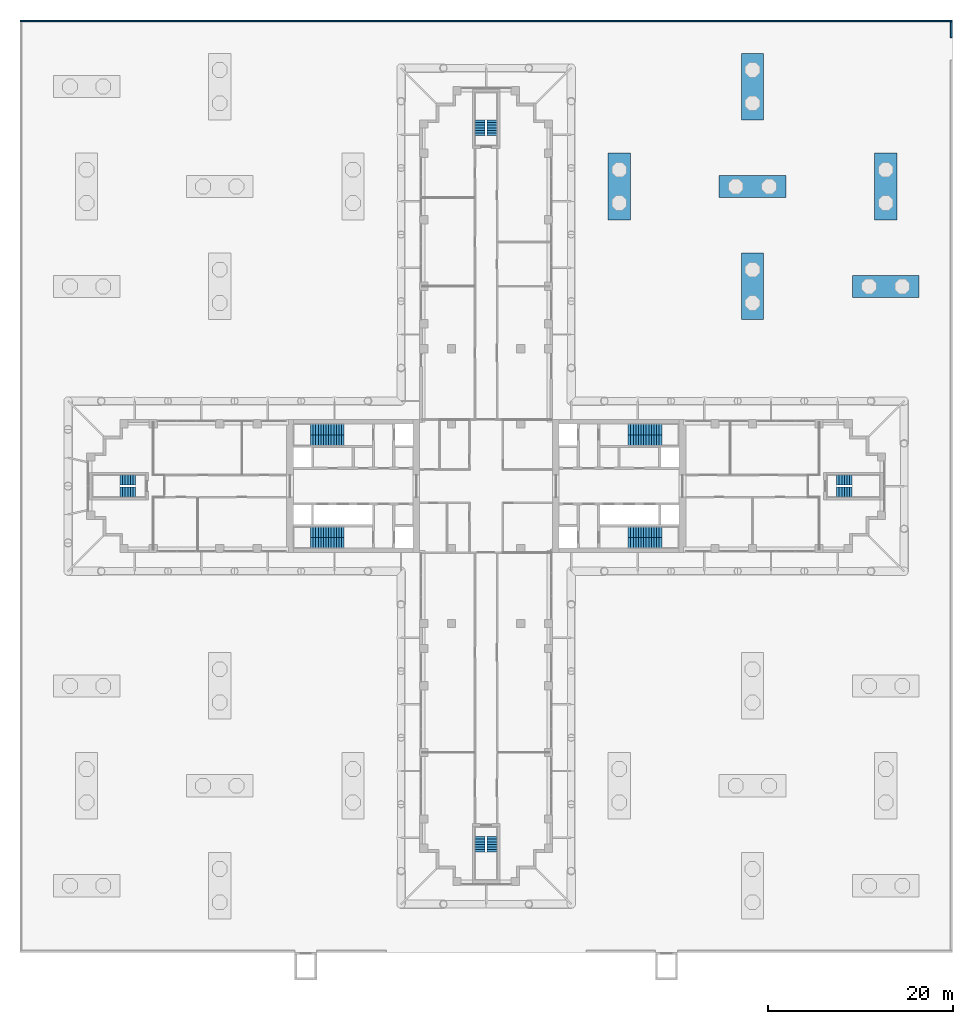
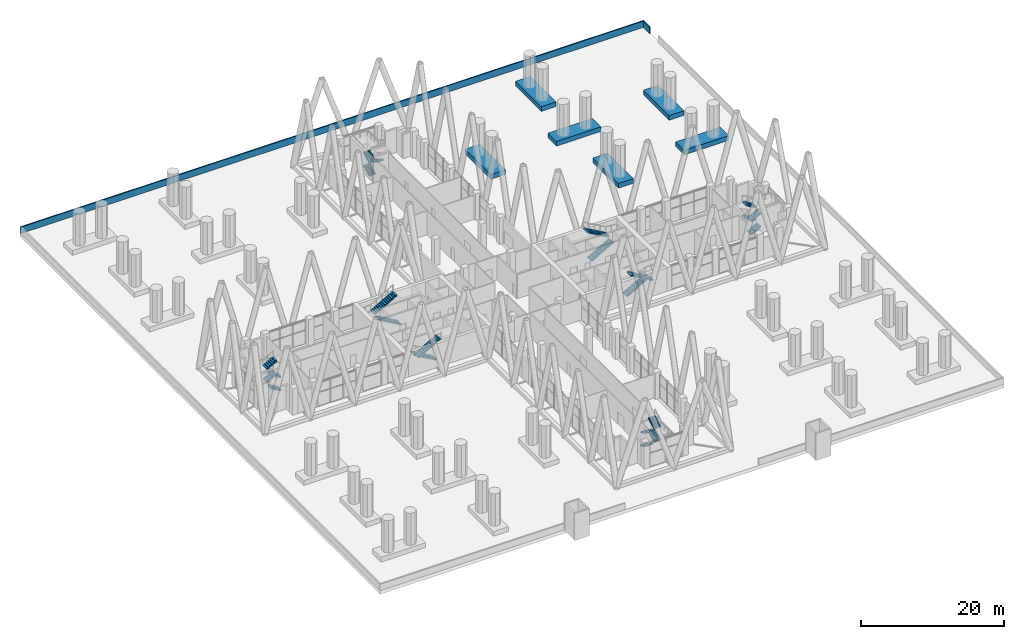
# One storey, part 26 of 31: 23 stair flights, 8 walls, 8 elements without a shape of their own.
"""IFC4 building model written with IfcOpenShell, lengths in metres."""

from ifc_helpers import new_model, si_unit, direction, frame, frame_2d, origin, place, context, subcontext, project, spatial, polyline, rectangle, outline, extrude, material, layer, layer_set, type_object, element, aggregate, save


model = new_model("IFC4")

# Units and contexts
model_context = context("Model", 3, precision=1e-05, world=origin(), true_north=direction((0.0, 1.0)))
body_context = subcontext(model_context, "Body", "Model", "MODEL_VIEW")
ifc_project = project(units=[si_unit("LENGTHUNIT", "METRE"), si_unit("AREAUNIT", "SQUARE_METRE"), si_unit("VOLUMEUNIT", "CUBIC_METRE"), si_unit("PLANEANGLEUNIT", "RADIAN"), si_unit("MASSUNIT", "GRAM", prefix="KILO")], contexts=[model_context])

# Site, building, storey
site_placement = place(None, origin())
site = spatial("IfcSite", under=ifc_project, at=site_placement, CompositionType="ELEMENT")
building_placement = place(site_placement, origin())
building = spatial("IfcBuilding", under=site, at=building_placement, Name="Fustian Cross Tower", CompositionType="ELEMENT")
storey_placement = place(building_placement, frame((0.0, 0.0, 7.199951171875)))
storey = spatial("IfcBuildingStorey", under=building, at=storey_placement, Name="L01", CompositionType="ELEMENT", Elevation=7.199951171875)

# Walls
ifc_material_1 = material(Name="Dark rainscreen cladding on blockwork", Category="masonry")
ifc_layer_1 = layer(ifc_material_1, 0.199951171875)
ifc_layer_set_1 = layer_set([ifc_layer_1], Name="Dark rainscreen cladding on blockwork")
wall_type_1 = type_object("IfcWallType", Name="PARAPET 200", PredefinedType="PARAPET", material=ifc_layer_set_1)
wall_1_placement = place(storey_placement, frame((50.300048828125, 48.463623046875, 0.0), z_axis=(0.0, 0.0, 1.0), x_axis=(0.0, 1.0, 0.0)))
element("IfcWall", 1, at=wall_1_placement, inside=storey, type_object=wall_type_1, Name="Deck parapet E", PredefinedType="PARAPET", context=body_context, shape_type="SweptSolid", body=[
    extrude(rectangle(XDim=1.736328125, YDim=0.199951171875, at=frame_2d((0.8681640625, 0.0))), origin(), (0.0, 0.0, 1.0), 1.10009765625),
])
wall_2_placement = place(storey_placement, frame((50.39990234375, 50.300048828125, 0.0), z_axis=(0.0, 0.0, 1.0), x_axis=(-1.0, 0.0, 0.0)))
element("IfcWall", 2, at=wall_2_placement, inside=storey, type_object=wall_type_1, Name="Deck parapet N", PredefinedType="PARAPET", context=body_context, shape_type="SweptSolid", body=[
    extrude(rectangle(XDim=100.7998046875, YDim=0.199951171875, at=frame_2d((50.39990234375, 0.0))), origin(), (0.0, 0.0, 1.0), 1.10009765625),
])
ifc_material_2 = material(Name="Concrete C40/50", Category="concrete")
ifc_layer_2 = layer(ifc_material_2, 2.39990234375)
ifc_layer_set_2 = layer_set([ifc_layer_2], Name="Concrete C40/50")
wall_type_2 = type_object("IfcWallType", Name="PLANTER KERB", PredefinedType="SOLIDWALL", material=ifc_layer_set_2)
for number, where, z_axis, x_axis, name in (
    (3, (14.39990234375, 28.800048828125, 0.0), (0.0, 0.0, 1.0), (0.0, 1.0, 0.0), "PLANTER D16"),
    (4, (28.800048828125, 18.0, 0.0), (0.0, 0.0, 1.0), (0.0, 1.0, 0.0), "PLANTER D20"),
    (5, (25.199951171875, 32.39990234375, 0.0), (0.0, 0.0, 1.0), (1.0, 0.0, 0.0), "PLANTER D21"),
    (6, (28.800048828125, 39.60009765625, 0.0), (0.0, 0.0, 1.0), (0.0, 1.0, 0.0), "PLANTER D22"),
    (7, (39.60009765625, 21.60009765625, 0.0), (0.0, 0.0, 1.0), (1.0, 0.0, 0.0), "PLANTER D26"),
    (8, (43.199951171875, 28.800048828125, 0.0), (0.0, 0.0, 1.0), (0.0, 1.0, 0.0), "PLANTER D27"),
):
    element("IfcWall", number, at=place(storey_placement, frame(where, z_axis=z_axis, x_axis=x_axis)), inside=storey, type_object=wall_type_2, Name=name, PredefinedType="SOLIDWALL", context=body_context, shape_type="SweptSolid", body=[
        extrude(rectangle(XDim=7.199951171875, YDim=2.39990234375, at=frame_2d((3.60009765625, 0.0))), origin(), (0.0, 0.0, 1.0), 0.800048828125),
    ])

# Stair, stair flights
ifc_material_3 = material(Name="Concrete C50/60", Category="concrete")
stair_type_1 = type_object("IfcStairType", Name="STAIR 1100 HALF TURN", PredefinedType="HALF_TURN_STAIR", material=ifc_material_3)
stair_1_placement = place(storey_placement, origin())
stair_1 = element("IfcStair", 9, at=stair_1_placement, inside=storey, type_object=stair_type_1, Name="Stair ST5", PredefinedType="HALF_TURN_STAIR")
ifc_material_4 = material(Name="Concrete C50/60", Category="concrete")
stair_flight_type_1 = type_object("IfcStairFlightType", Name="STAIR FLIGHT 1100", PredefinedType="STRAIGHT", material=ifc_material_4)
stair_flight_1_placement = place(storey_placement, frame((-0.64990234375, 37.89990234375, 0.0), z_axis=(0.0, 0.0, 1.0), x_axis=(0.0, 1.0, 0.0)))
stair_flight_1 = element("IfcStairFlight", 10, at=stair_flight_1_placement, type_object=stair_flight_type_1, Name="ST5 flight 1", NumberOfRisers=7, NumberOfTreads=6, PredefinedType="STRAIGHT", RiserHeight=0.160714286, TreadLength=0.28, context=body_context, shape_type="SweptSolid", body=[
    extrude(outline(polyline([(0.0, 0.0), (0.0, 0.16064453125), (0.280029296875, 0.16064453125), (0.280029296875, 0.321533203125), (0.56005859375, 0.321533203125), (0.56005859375, 0.482177734375), (0.840087890625, 0.482177734375), (0.840087890625, 0.642822265625), (1.1201171875, 0.642822265625), (1.1201171875, 0.803466796875), (1.39990234375, 0.803466796875), (1.39990234375, 0.96435546875), (1.679931640625, 0.96435546875), (1.679931640625, 1.125), (1.679931640625, 0.79150390625), (0.301025390625, 0.0), (0.0, 0.0)])), frame((0.0, 0.550048828125, 0.0), z_axis=(0.0, -1.0, 0.0), x_axis=(1.0, 0.0, 0.0)), (0.0, 0.0, 1.0), 1.10009765625),
])
stair_flight_2_placement = place(storey_placement, frame((0.64990234375, 39.580078125, 1.125), z_axis=(0.0, 0.0, 1.0), x_axis=(0.0, -1.0, 0.0)))
stair_flight_2 = element("IfcStairFlight", 11, at=stair_flight_2_placement, type_object=stair_flight_type_1, Name="ST5 flight 2", NumberOfRisers=7, NumberOfTreads=6, PredefinedType="STRAIGHT", RiserHeight=0.160714286, TreadLength=0.28, context=body_context, shape_type="SweptSolid", body=[
    extrude(outline(polyline([(0.0, 0.0), (0.0, 0.16064453125), (0.280029296875, 0.16064453125), (0.280029296875, 0.321533203125), (0.56005859375, 0.321533203125), (0.56005859375, 0.482177734375), (0.840087890625, 0.482177734375), (0.840087890625, 0.642822265625), (1.1201171875, 0.642822265625), (1.1201171875, 0.803466796875), (1.39990234375, 0.803466796875), (1.39990234375, 0.96435546875), (1.679931640625, 0.96435546875), (1.679931640625, 1.125), (1.679931640625, 0.79150390625), (0.301025390625, 0.0), (0.0, 0.0)])), frame((0.0, 0.550048828125, 0.0), z_axis=(0.0, -1.0, 0.0), x_axis=(1.0, 0.0, 0.0)), (0.0, 0.0, 1.0), 1.10009765625),
])
stair_flight_3_placement = place(storey_placement, frame((-0.64990234375, 37.89990234375, 2.25), z_axis=(0.0, 0.0, 1.0), x_axis=(0.0, 1.0, 0.0)))
stair_flight_3 = element("IfcStairFlight", 12, at=stair_flight_3_placement, type_object=stair_flight_type_1, Name="ST5 flight 3", NumberOfRisers=7, NumberOfTreads=6, PredefinedType="STRAIGHT", RiserHeight=0.160714286, TreadLength=0.28, context=body_context, shape_type="SweptSolid", body=[
    extrude(outline(polyline([(0.0, 0.0), (0.0, 0.16064453125), (0.280029296875, 0.16064453125), (0.280029296875, 0.321533203125), (0.56005859375, 0.321533203125), (0.56005859375, 0.482177734375), (0.840087890625, 0.482177734375), (0.840087890625, 0.642822265625), (1.1201171875, 0.642822265625), (1.1201171875, 0.803466796875), (1.39990234375, 0.803466796875), (1.39990234375, 0.96435546875), (1.679931640625, 0.96435546875), (1.679931640625, 1.125), (1.679931640625, 0.79150390625), (0.301025390625, 0.0), (0.0, 0.0)])), frame((0.0, 0.550048828125, 0.0), z_axis=(0.0, -1.0, 0.0), x_axis=(1.0, 0.0, 0.0)), (0.0, 0.0, 1.0), 1.10009765625),
])
aggregate(stair_1, [stair_flight_1, stair_flight_2, stair_flight_3])

stair_2_placement = place(storey_placement, origin())
stair_2 = element("IfcStair", 13, at=stair_2_placement, inside=storey, type_object=stair_type_1, Name="Stair ST6", PredefinedType="HALF_TURN_STAIR")
stair_flight_4_placement = place(storey_placement, frame((-0.64990234375, -37.89990234375, 0.0), z_axis=(0.0, 0.0, 1.0), x_axis=(0.0, -1.0, 0.0)))
stair_flight_4 = element("IfcStairFlight", 14, at=stair_flight_4_placement, type_object=stair_flight_type_1, Name="ST6 flight 1", NumberOfRisers=7, NumberOfTreads=6, PredefinedType="STRAIGHT", RiserHeight=0.160714286, TreadLength=0.28, context=body_context, shape_type="SweptSolid", body=[
    extrude(outline(polyline([(0.0, 0.0), (0.0, 0.16064453125), (0.280029296875, 0.16064453125), (0.280029296875, 0.321533203125), (0.56005859375, 0.321533203125), (0.56005859375, 0.482177734375), (0.840087890625, 0.482177734375), (0.840087890625, 0.642822265625), (1.1201171875, 0.642822265625), (1.1201171875, 0.803466796875), (1.39990234375, 0.803466796875), (1.39990234375, 0.96435546875), (1.679931640625, 0.96435546875), (1.679931640625, 1.125), (1.679931640625, 0.79150390625), (0.301025390625, 0.0), (0.0, 0.0)])), frame((0.0, 0.550048828125, 0.0), z_axis=(0.0, -1.0, 0.0), x_axis=(1.0, 0.0, 0.0)), (0.0, 0.0, 1.0), 1.10009765625),
])
stair_flight_5_placement = place(storey_placement, frame((0.64990234375, -39.580078125, 1.125), z_axis=(0.0, 0.0, 1.0), x_axis=(0.0, 1.0, 0.0)))
stair_flight_5 = element("IfcStairFlight", 15, at=stair_flight_5_placement, type_object=stair_flight_type_1, Name="ST6 flight 2", NumberOfRisers=7, NumberOfTreads=6, PredefinedType="STRAIGHT", RiserHeight=0.160714286, TreadLength=0.28, context=body_context, shape_type="SweptSolid", body=[
    extrude(outline(polyline([(0.0, 0.0), (0.0, 0.16064453125), (0.280029296875, 0.16064453125), (0.280029296875, 0.321533203125), (0.56005859375, 0.321533203125), (0.56005859375, 0.482177734375), (0.840087890625, 0.482177734375), (0.840087890625, 0.642822265625), (1.1201171875, 0.642822265625), (1.1201171875, 0.803466796875), (1.39990234375, 0.803466796875), (1.39990234375, 0.96435546875), (1.679931640625, 0.96435546875), (1.679931640625, 1.125), (1.679931640625, 0.79150390625), (0.301025390625, 0.0), (0.0, 0.0)])), frame((0.0, 0.550048828125, 0.0), z_axis=(0.0, -1.0, 0.0), x_axis=(1.0, 0.0, 0.0)), (0.0, 0.0, 1.0), 1.10009765625),
])
stair_flight_6_placement = place(storey_placement, frame((-0.64990234375, -37.89990234375, 2.25), z_axis=(0.0, 0.0, 1.0), x_axis=(0.0, -1.0, 0.0)))
stair_flight_6 = element("IfcStairFlight", 16, at=stair_flight_6_placement, type_object=stair_flight_type_1, Name="ST6 flight 3", NumberOfRisers=7, NumberOfTreads=6, PredefinedType="STRAIGHT", RiserHeight=0.160714286, TreadLength=0.28, context=body_context, shape_type="SweptSolid", body=[
    extrude(outline(polyline([(0.0, 0.0), (0.0, 0.16064453125), (0.280029296875, 0.16064453125), (0.280029296875, 0.321533203125), (0.56005859375, 0.321533203125), (0.56005859375, 0.482177734375), (0.840087890625, 0.482177734375), (0.840087890625, 0.642822265625), (1.1201171875, 0.642822265625), (1.1201171875, 0.803466796875), (1.39990234375, 0.803466796875), (1.39990234375, 0.96435546875), (1.679931640625, 0.96435546875), (1.679931640625, 1.125), (1.679931640625, 0.79150390625), (0.301025390625, 0.0), (0.0, 0.0)])), frame((0.0, 0.550048828125, 0.0), z_axis=(0.0, -1.0, 0.0), x_axis=(1.0, 0.0, 0.0)), (0.0, 0.0, 1.0), 1.10009765625),
])
stair_flight_7_placement = place(storey_placement, frame((0.64990234375, -39.580078125, 3.375), z_axis=(0.0, 0.0, 1.0), x_axis=(0.0, 1.0, 0.0)))
stair_flight_7 = element("IfcStairFlight", 17, at=stair_flight_7_placement, type_object=stair_flight_type_1, Name="ST6 flight 4", NumberOfRisers=7, NumberOfTreads=6, PredefinedType="STRAIGHT", RiserHeight=0.160714286, TreadLength=0.28, context=body_context, shape_type="SweptSolid", body=[
    extrude(outline(polyline([(0.0, 0.0), (0.0, 0.16064453125), (0.280029296875, 0.16064453125), (0.280029296875, 0.321533203125), (0.56005859375, 0.321533203125), (0.56005859375, 0.482177734375), (0.840087890625, 0.482177734375), (0.840087890625, 0.642822265625), (1.1201171875, 0.642822265625), (1.1201171875, 0.803466796875), (1.39990234375, 0.803466796875), (1.39990234375, 0.96435546875), (1.679931640625, 0.96435546875), (1.679931640625, 1.125), (1.679931640625, 0.79150390625), (0.301025390625, 0.0), (0.0, 0.0)])), frame((0.0, 0.550048828125, 0.0), z_axis=(0.0, -1.0, 0.0), x_axis=(1.0, 0.0, 0.0)), (0.0, 0.0, 1.0), 1.10009765625),
])
aggregate(stair_2, [stair_flight_4, stair_flight_5, stair_flight_6, stair_flight_7])

stair_3_placement = place(storey_placement, origin())
stair_3 = element("IfcStair", 18, at=stair_3_placement, inside=storey, type_object=stair_type_1, Name="Stair ST8", PredefinedType="HALF_TURN_STAIR")
stair_flight_8_placement = place(storey_placement, frame((37.89990234375, -0.64990234375, 0.0), z_axis=(0.0, 0.0, 1.0), x_axis=(1.0, 0.0, 0.0)))
stair_flight_8 = element("IfcStairFlight", 19, at=stair_flight_8_placement, type_object=stair_flight_type_1, Name="ST8 flight 1", NumberOfRisers=7, NumberOfTreads=6, PredefinedType="STRAIGHT", RiserHeight=0.160714286, TreadLength=0.28, context=body_context, shape_type="SweptSolid", body=[
    extrude(outline(polyline([(0.0, 0.0), (0.0, 0.16064453125), (0.280029296875, 0.16064453125), (0.280029296875, 0.321533203125), (0.56005859375, 0.321533203125), (0.56005859375, 0.482177734375), (0.840087890625, 0.482177734375), (0.840087890625, 0.642822265625), (1.1201171875, 0.642822265625), (1.1201171875, 0.803466796875), (1.39990234375, 0.803466796875), (1.39990234375, 0.96435546875), (1.679931640625, 0.96435546875), (1.679931640625, 1.125), (1.679931640625, 0.79150390625), (0.301025390625, 0.0), (0.0, 0.0)])), frame((0.0, 0.550048828125, 0.0), z_axis=(0.0, -1.0, 0.0), x_axis=(1.0, 0.0, 0.0)), (0.0, 0.0, 1.0), 1.10009765625),
])
stair_flight_9_placement = place(storey_placement, frame((39.580078125, 0.64990234375, 1.125), z_axis=(0.0, 0.0, 1.0), x_axis=(-1.0, 0.0, 0.0)))
stair_flight_9 = element("IfcStairFlight", 20, at=stair_flight_9_placement, type_object=stair_flight_type_1, Name="ST8 flight 2", NumberOfRisers=7, NumberOfTreads=6, PredefinedType="STRAIGHT", RiserHeight=0.160714286, TreadLength=0.28, context=body_context, shape_type="SweptSolid", body=[
    extrude(outline(polyline([(0.0, 0.0), (0.0, 0.16064453125), (0.280029296875, 0.16064453125), (0.280029296875, 0.321533203125), (0.56005859375, 0.321533203125), (0.56005859375, 0.482177734375), (0.840087890625, 0.482177734375), (0.840087890625, 0.642822265625), (1.1201171875, 0.642822265625), (1.1201171875, 0.803466796875), (1.39990234375, 0.803466796875), (1.39990234375, 0.96435546875), (1.679931640625, 0.96435546875), (1.679931640625, 1.125), (1.679931640625, 0.79150390625), (0.301025390625, 0.0), (0.0, 0.0)])), frame((0.0, 0.550048828125, 0.0), z_axis=(0.0, -1.0, 0.0), x_axis=(1.0, 0.0, 0.0)), (0.0, 0.0, 1.0), 1.10009765625),
])
stair_flight_10_placement = place(storey_placement, frame((37.89990234375, -0.64990234375, 2.25), z_axis=(0.0, 0.0, 1.0), x_axis=(1.0, 0.0, 0.0)))
stair_flight_10 = element("IfcStairFlight", 21, at=stair_flight_10_placement, type_object=stair_flight_type_1, Name="ST8 flight 3", NumberOfRisers=7, NumberOfTreads=6, PredefinedType="STRAIGHT", RiserHeight=0.160714286, TreadLength=0.28, context=body_context, shape_type="SweptSolid", body=[
    extrude(outline(polyline([(0.0, 0.0), (0.0, 0.16064453125), (0.280029296875, 0.16064453125), (0.280029296875, 0.321533203125), (0.56005859375, 0.321533203125), (0.56005859375, 0.482177734375), (0.840087890625, 0.482177734375), (0.840087890625, 0.642822265625), (1.1201171875, 0.642822265625), (1.1201171875, 0.803466796875), (1.39990234375, 0.803466796875), (1.39990234375, 0.96435546875), (1.679931640625, 0.96435546875), (1.679931640625, 1.125), (1.679931640625, 0.79150390625), (0.301025390625, 0.0), (0.0, 0.0)])), frame((0.0, 0.550048828125, 0.0), z_axis=(0.0, -1.0, 0.0), x_axis=(1.0, 0.0, 0.0)), (0.0, 0.0, 1.0), 1.10009765625),
])
stair_flight_11_placement = place(storey_placement, frame((39.580078125, 0.64990234375, 3.375), z_axis=(0.0, 0.0, 1.0), x_axis=(-1.0, 0.0, 0.0)))
stair_flight_11 = element("IfcStairFlight", 22, at=stair_flight_11_placement, type_object=stair_flight_type_1, Name="ST8 flight 4", NumberOfRisers=7, NumberOfTreads=6, PredefinedType="STRAIGHT", RiserHeight=0.160714286, TreadLength=0.28, context=body_context, shape_type="SweptSolid", body=[
    extrude(outline(polyline([(0.0, 0.0), (0.0, 0.16064453125), (0.280029296875, 0.16064453125), (0.280029296875, 0.321533203125), (0.56005859375, 0.321533203125), (0.56005859375, 0.482177734375), (0.840087890625, 0.482177734375), (0.840087890625, 0.642822265625), (1.1201171875, 0.642822265625), (1.1201171875, 0.803466796875), (1.39990234375, 0.803466796875), (1.39990234375, 0.96435546875), (1.679931640625, 0.96435546875), (1.679931640625, 1.125), (1.679931640625, 0.79150390625), (0.301025390625, 0.0), (0.0, 0.0)])), frame((0.0, 0.550048828125, 0.0), z_axis=(0.0, -1.0, 0.0), x_axis=(1.0, 0.0, 0.0)), (0.0, 0.0, 1.0), 1.10009765625),
])
aggregate(stair_3, [stair_flight_8, stair_flight_9, stair_flight_10, stair_flight_11])

stair_4_placement = place(storey_placement, origin())
stair_4 = element("IfcStair", 23, at=stair_4_placement, inside=storey, type_object=stair_type_1, Name="Stair ST9", PredefinedType="HALF_TURN_STAIR")
stair_flight_12_placement = place(storey_placement, frame((-37.89990234375, -0.64990234375, 0.0), z_axis=(0.0, 0.0, 1.0), x_axis=(-1.0, 0.0, 0.0)))
stair_flight_12 = element("IfcStairFlight", 24, at=stair_flight_12_placement, type_object=stair_flight_type_1, Name="ST9 flight 1", NumberOfRisers=7, NumberOfTreads=6, PredefinedType="STRAIGHT", RiserHeight=0.160714286, TreadLength=0.28, context=body_context, shape_type="SweptSolid", body=[
    extrude(outline(polyline([(0.0, 0.0), (0.0, 0.16064453125), (0.280029296875, 0.16064453125), (0.280029296875, 0.321533203125), (0.56005859375, 0.321533203125), (0.56005859375, 0.482177734375), (0.840087890625, 0.482177734375), (0.840087890625, 0.642822265625), (1.1201171875, 0.642822265625), (1.1201171875, 0.803466796875), (1.39990234375, 0.803466796875), (1.39990234375, 0.96435546875), (1.679931640625, 0.96435546875), (1.679931640625, 1.125), (1.679931640625, 0.79150390625), (0.301025390625, 0.0), (0.0, 0.0)])), frame((0.0, 0.550048828125, 0.0), z_axis=(0.0, -1.0, 0.0), x_axis=(1.0, 0.0, 0.0)), (0.0, 0.0, 1.0), 1.10009765625),
])
stair_flight_13_placement = place(storey_placement, frame((-39.580078125, 0.64990234375, 1.125), z_axis=(0.0, 0.0, 1.0), x_axis=(1.0, 0.0, 0.0)))
stair_flight_13 = element("IfcStairFlight", 25, at=stair_flight_13_placement, type_object=stair_flight_type_1, Name="ST9 flight 2", NumberOfRisers=7, NumberOfTreads=6, PredefinedType="STRAIGHT", RiserHeight=0.160714286, TreadLength=0.28, context=body_context, shape_type="SweptSolid", body=[
    extrude(outline(polyline([(0.0, 0.0), (0.0, 0.16064453125), (0.280029296875, 0.16064453125), (0.280029296875, 0.321533203125), (0.56005859375, 0.321533203125), (0.56005859375, 0.482177734375), (0.840087890625, 0.482177734375), (0.840087890625, 0.642822265625), (1.1201171875, 0.642822265625), (1.1201171875, 0.803466796875), (1.39990234375, 0.803466796875), (1.39990234375, 0.96435546875), (1.679931640625, 0.96435546875), (1.679931640625, 1.125), (1.679931640625, 0.79150390625), (0.301025390625, 0.0), (0.0, 0.0)])), frame((0.0, 0.550048828125, 0.0), z_axis=(0.0, -1.0, 0.0), x_axis=(1.0, 0.0, 0.0)), (0.0, 0.0, 1.0), 1.10009765625),
])
stair_flight_14_placement = place(storey_placement, frame((-37.89990234375, -0.64990234375, 2.25), z_axis=(0.0, 0.0, 1.0), x_axis=(-1.0, 0.0, 0.0)))
stair_flight_14 = element("IfcStairFlight", 26, at=stair_flight_14_placement, type_object=stair_flight_type_1, Name="ST9 flight 3", NumberOfRisers=7, NumberOfTreads=6, PredefinedType="STRAIGHT", RiserHeight=0.160714286, TreadLength=0.28, context=body_context, shape_type="SweptSolid", body=[
    extrude(outline(polyline([(0.0, 0.0), (0.0, 0.16064453125), (0.280029296875, 0.16064453125), (0.280029296875, 0.321533203125), (0.56005859375, 0.321533203125), (0.56005859375, 0.482177734375), (0.840087890625, 0.482177734375), (0.840087890625, 0.642822265625), (1.1201171875, 0.642822265625), (1.1201171875, 0.803466796875), (1.39990234375, 0.803466796875), (1.39990234375, 0.96435546875), (1.679931640625, 0.96435546875), (1.679931640625, 1.125), (1.679931640625, 0.79150390625), (0.301025390625, 0.0), (0.0, 0.0)])), frame((0.0, 0.550048828125, 0.0), z_axis=(0.0, -1.0, 0.0), x_axis=(1.0, 0.0, 0.0)), (0.0, 0.0, 1.0), 1.10009765625),
])
stair_flight_15_placement = place(storey_placement, frame((-39.580078125, 0.64990234375, 3.375), z_axis=(0.0, 0.0, 1.0), x_axis=(1.0, 0.0, 0.0)))
stair_flight_15 = element("IfcStairFlight", 27, at=stair_flight_15_placement, type_object=stair_flight_type_1, Name="ST9 flight 4", NumberOfRisers=7, NumberOfTreads=6, PredefinedType="STRAIGHT", RiserHeight=0.160714286, TreadLength=0.28, context=body_context, shape_type="SweptSolid", body=[
    extrude(outline(polyline([(0.0, 0.0), (0.0, 0.16064453125), (0.280029296875, 0.16064453125), (0.280029296875, 0.321533203125), (0.56005859375, 0.321533203125), (0.56005859375, 0.482177734375), (0.840087890625, 0.482177734375), (0.840087890625, 0.642822265625), (1.1201171875, 0.642822265625), (1.1201171875, 0.803466796875), (1.39990234375, 0.803466796875), (1.39990234375, 0.96435546875), (1.679931640625, 0.96435546875), (1.679931640625, 1.125), (1.679931640625, 0.79150390625), (0.301025390625, 0.0), (0.0, 0.0)])), frame((0.0, 0.550048828125, 0.0), z_axis=(0.0, -1.0, 0.0), x_axis=(1.0, 0.0, 0.0)), (0.0, 0.0, 1.0), 1.10009765625),
])
aggregate(stair_4, [stair_flight_12, stair_flight_13, stair_flight_14, stair_flight_15])

ifc_material_5 = material(Name="Concrete C50/60", Category="concrete")
stair_type_2 = type_object("IfcStairType", Name="STAIR 1150 HALF TURN", PredefinedType="HALF_TURN_STAIR", material=ifc_material_5)
stair_5_placement = place(storey_placement, origin())
stair_5 = element("IfcStair", 28, at=stair_5_placement, inside=storey, type_object=stair_type_2, Name="Stair ST1", PredefinedType="HALF_TURN_STAIR")
ifc_material_6 = material(Name="Concrete C50/60", Category="concrete")
stair_flight_type_2 = type_object("IfcStairFlightType", Name="STAIR FLIGHT 1150", PredefinedType="STRAIGHT", material=ifc_material_6)
stair_flight_16_placement = place(storey_placement, frame((15.35009765625, 4.97509765625, 0.0), z_axis=(0.0, 0.0, 1.0), x_axis=(1.0, 0.0, 0.0)))
stair_flight_16 = element("IfcStairFlight", 29, at=stair_flight_16_placement, type_object=stair_flight_type_2, Name="ST1 flight 1", NumberOfRisers=14, NumberOfTreads=13, PredefinedType="STRAIGHT", RiserHeight=0.160714286, TreadLength=0.28, context=body_context, shape_type="SweptSolid", body=[
    extrude(outline(polyline([(0.0, 0.0), (0.0, 0.16064453125), (0.280029296875, 0.16064453125), (0.280029296875, 0.321533203125), (0.56005859375, 0.321533203125), (0.56005859375, 0.482177734375), (0.840087890625, 0.482177734375), (0.840087890625, 0.642822265625), (1.1201171875, 0.642822265625), (1.1201171875, 0.803466796875), (1.39990234375, 0.803466796875), (1.39990234375, 0.96435546875), (1.679931640625, 0.96435546875), (1.679931640625, 1.125), (1.9599609375, 1.125), (1.9599609375, 1.28564453125), (2.239990234375, 1.28564453125), (2.239990234375, 1.446533203125), (2.52001953125, 1.446533203125), (2.52001953125, 1.607177734375), (2.800048828125, 1.607177734375), (2.800048828125, 1.767822265625), (3.080078125, 1.767822265625), (3.080078125, 1.928466796875), (3.360107421875, 1.928466796875), (3.360107421875, 2.08935546875), (3.639892578125, 2.08935546875), (3.639892578125, 2.25), (3.639892578125, 1.91650390625), (0.301025390625, 0.0), (0.0, 0.0)])), frame((0.0, 0.574951171875, 0.0), z_axis=(0.0, -1.0, 0.0), x_axis=(1.0, 0.0, 0.0)), (0.0, 0.0, 1.0), 1.14990234375),
])
stair_flight_17_placement = place(storey_placement, frame((18.989990234375, 6.125, 2.25), z_axis=(0.0, 0.0, 1.0), x_axis=(-1.0, 0.0, 0.0)))
stair_flight_17 = element("IfcStairFlight", 30, at=stair_flight_17_placement, type_object=stair_flight_type_2, Name="ST1 flight 2", NumberOfRisers=14, NumberOfTreads=13, PredefinedType="STRAIGHT", RiserHeight=0.160714286, TreadLength=0.28, context=body_context, shape_type="SweptSolid", body=[
    extrude(outline(polyline([(0.0, 0.0), (0.0, 0.16064453125), (0.280029296875, 0.16064453125), (0.280029296875, 0.321533203125), (0.56005859375, 0.321533203125), (0.56005859375, 0.482177734375), (0.840087890625, 0.482177734375), (0.840087890625, 0.642822265625), (1.1201171875, 0.642822265625), (1.1201171875, 0.803466796875), (1.39990234375, 0.803466796875), (1.39990234375, 0.96435546875), (1.679931640625, 0.96435546875), (1.679931640625, 1.125), (1.9599609375, 1.125), (1.9599609375, 1.28564453125), (2.239990234375, 1.28564453125), (2.239990234375, 1.446533203125), (2.52001953125, 1.446533203125), (2.52001953125, 1.607177734375), (2.800048828125, 1.607177734375), (2.800048828125, 1.767822265625), (3.080078125, 1.767822265625), (3.080078125, 1.928466796875), (3.360107421875, 1.928466796875), (3.360107421875, 2.08935546875), (3.639892578125, 2.08935546875), (3.639892578125, 2.25), (3.639892578125, 1.91650390625), (0.301025390625, 0.0), (0.0, 0.0)])), frame((0.0, 0.574951171875, 0.0), z_axis=(0.0, -1.0, 0.0), x_axis=(1.0, 0.0, 0.0)), (0.0, 0.0, 1.0), 1.14990234375),
])
aggregate(stair_5, [stair_flight_16, stair_flight_17])

stair_6_placement = place(storey_placement, origin())
stair_6 = element("IfcStair", 31, at=stair_6_placement, inside=storey, type_object=stair_type_2, Name="Stair ST2", PredefinedType="HALF_TURN_STAIR")
stair_flight_18_placement = place(storey_placement, frame((15.35009765625, -4.97509765625, 0.0), z_axis=(0.0, 0.0, 1.0), x_axis=(1.0, 0.0, 0.0)))
stair_flight_18 = element("IfcStairFlight", 32, at=stair_flight_18_placement, type_object=stair_flight_type_2, Name="ST2 flight 1", NumberOfRisers=14, NumberOfTreads=13, PredefinedType="STRAIGHT", RiserHeight=0.160714286, TreadLength=0.28, context=body_context, shape_type="SweptSolid", body=[
    extrude(outline(polyline([(0.0, 0.0), (0.0, 0.16064453125), (0.280029296875, 0.16064453125), (0.280029296875, 0.321533203125), (0.56005859375, 0.321533203125), (0.56005859375, 0.482177734375), (0.840087890625, 0.482177734375), (0.840087890625, 0.642822265625), (1.1201171875, 0.642822265625), (1.1201171875, 0.803466796875), (1.39990234375, 0.803466796875), (1.39990234375, 0.96435546875), (1.679931640625, 0.96435546875), (1.679931640625, 1.125), (1.9599609375, 1.125), (1.9599609375, 1.28564453125), (2.239990234375, 1.28564453125), (2.239990234375, 1.446533203125), (2.52001953125, 1.446533203125), (2.52001953125, 1.607177734375), (2.800048828125, 1.607177734375), (2.800048828125, 1.767822265625), (3.080078125, 1.767822265625), (3.080078125, 1.928466796875), (3.360107421875, 1.928466796875), (3.360107421875, 2.08935546875), (3.639892578125, 2.08935546875), (3.639892578125, 2.25), (3.639892578125, 1.91650390625), (0.301025390625, 0.0), (0.0, 0.0)])), frame((0.0, 0.574951171875, 0.0), z_axis=(0.0, -1.0, 0.0), x_axis=(1.0, 0.0, 0.0)), (0.0, 0.0, 1.0), 1.14990234375),
])
stair_flight_19_placement = place(storey_placement, frame((18.989990234375, -6.125, 2.25), z_axis=(0.0, 0.0, 1.0), x_axis=(-1.0, 0.0, 0.0)))
stair_flight_19 = element("IfcStairFlight", 33, at=stair_flight_19_placement, type_object=stair_flight_type_2, Name="ST2 flight 2", NumberOfRisers=14, NumberOfTreads=13, PredefinedType="STRAIGHT", RiserHeight=0.160714286, TreadLength=0.28, context=body_context, shape_type="SweptSolid", body=[
    extrude(outline(polyline([(0.0, 0.0), (0.0, 0.16064453125), (0.280029296875, 0.16064453125), (0.280029296875, 0.321533203125), (0.56005859375, 0.321533203125), (0.56005859375, 0.482177734375), (0.840087890625, 0.482177734375), (0.840087890625, 0.642822265625), (1.1201171875, 0.642822265625), (1.1201171875, 0.803466796875), (1.39990234375, 0.803466796875), (1.39990234375, 0.96435546875), (1.679931640625, 0.96435546875), (1.679931640625, 1.125), (1.9599609375, 1.125), (1.9599609375, 1.28564453125), (2.239990234375, 1.28564453125), (2.239990234375, 1.446533203125), (2.52001953125, 1.446533203125), (2.52001953125, 1.607177734375), (2.800048828125, 1.607177734375), (2.800048828125, 1.767822265625), (3.080078125, 1.767822265625), (3.080078125, 1.928466796875), (3.360107421875, 1.928466796875), (3.360107421875, 2.08935546875), (3.639892578125, 2.08935546875), (3.639892578125, 2.25), (3.639892578125, 1.91650390625), (0.301025390625, 0.0), (0.0, 0.0)])), frame((0.0, 0.574951171875, 0.0), z_axis=(0.0, -1.0, 0.0), x_axis=(1.0, 0.0, 0.0)), (0.0, 0.0, 1.0), 1.14990234375),
])
aggregate(stair_6, [stair_flight_18, stair_flight_19])

stair_7_placement = place(storey_placement, origin())
stair_7 = element("IfcStair", 34, at=stair_7_placement, inside=storey, type_object=stair_type_2, Name="Stair ST3", PredefinedType="HALF_TURN_STAIR")
stair_flight_20_placement = place(storey_placement, frame((-15.35009765625, 4.97509765625, 0.0), z_axis=(0.0, 0.0, 1.0), x_axis=(-1.0, 0.0, 0.0)))
stair_flight_20 = element("IfcStairFlight", 35, at=stair_flight_20_placement, type_object=stair_flight_type_2, Name="ST3 flight 1", NumberOfRisers=14, NumberOfTreads=13, PredefinedType="STRAIGHT", RiserHeight=0.160714286, TreadLength=0.28, context=body_context, shape_type="SweptSolid", body=[
    extrude(outline(polyline([(0.0, 0.0), (0.0, 0.16064453125), (0.280029296875, 0.16064453125), (0.280029296875, 0.321533203125), (0.56005859375, 0.321533203125), (0.56005859375, 0.482177734375), (0.840087890625, 0.482177734375), (0.840087890625, 0.642822265625), (1.1201171875, 0.642822265625), (1.1201171875, 0.803466796875), (1.39990234375, 0.803466796875), (1.39990234375, 0.96435546875), (1.679931640625, 0.96435546875), (1.679931640625, 1.125), (1.9599609375, 1.125), (1.9599609375, 1.28564453125), (2.239990234375, 1.28564453125), (2.239990234375, 1.446533203125), (2.52001953125, 1.446533203125), (2.52001953125, 1.607177734375), (2.800048828125, 1.607177734375), (2.800048828125, 1.767822265625), (3.080078125, 1.767822265625), (3.080078125, 1.928466796875), (3.360107421875, 1.928466796875), (3.360107421875, 2.08935546875), (3.639892578125, 2.08935546875), (3.639892578125, 2.25), (3.639892578125, 1.91650390625), (0.301025390625, 0.0), (0.0, 0.0)])), frame((0.0, 0.574951171875, 0.0), z_axis=(0.0, -1.0, 0.0), x_axis=(1.0, 0.0, 0.0)), (0.0, 0.0, 1.0), 1.14990234375),
])
stair_flight_21_placement = place(storey_placement, frame((-18.989990234375, 6.125, 2.25), z_axis=(0.0, 0.0, 1.0), x_axis=(1.0, 0.0, 0.0)))
stair_flight_21 = element("IfcStairFlight", 36, at=stair_flight_21_placement, type_object=stair_flight_type_2, Name="ST3 flight 2", NumberOfRisers=14, NumberOfTreads=13, PredefinedType="STRAIGHT", RiserHeight=0.160714286, TreadLength=0.28, context=body_context, shape_type="SweptSolid", body=[
    extrude(outline(polyline([(0.0, 0.0), (0.0, 0.16064453125), (0.280029296875, 0.16064453125), (0.280029296875, 0.321533203125), (0.56005859375, 0.321533203125), (0.56005859375, 0.482177734375), (0.840087890625, 0.482177734375), (0.840087890625, 0.642822265625), (1.1201171875, 0.642822265625), (1.1201171875, 0.803466796875), (1.39990234375, 0.803466796875), (1.39990234375, 0.96435546875), (1.679931640625, 0.96435546875), (1.679931640625, 1.125), (1.9599609375, 1.125), (1.9599609375, 1.28564453125), (2.239990234375, 1.28564453125), (2.239990234375, 1.446533203125), (2.52001953125, 1.446533203125), (2.52001953125, 1.607177734375), (2.800048828125, 1.607177734375), (2.800048828125, 1.767822265625), (3.080078125, 1.767822265625), (3.080078125, 1.928466796875), (3.360107421875, 1.928466796875), (3.360107421875, 2.08935546875), (3.639892578125, 2.08935546875), (3.639892578125, 2.25), (3.639892578125, 1.91650390625), (0.301025390625, 0.0), (0.0, 0.0)])), frame((0.0, 0.574951171875, 0.0), z_axis=(0.0, -1.0, 0.0), x_axis=(1.0, 0.0, 0.0)), (0.0, 0.0, 1.0), 1.14990234375),
])
aggregate(stair_7, [stair_flight_20, stair_flight_21])

stair_8_placement = place(storey_placement, origin())
stair_8 = element("IfcStair", 37, at=stair_8_placement, inside=storey, type_object=stair_type_2, Name="Stair ST4", PredefinedType="HALF_TURN_STAIR")
stair_flight_22_placement = place(storey_placement, frame((-15.35009765625, -4.97509765625, 0.0), z_axis=(0.0, 0.0, 1.0), x_axis=(-1.0, 0.0, 0.0)))
stair_flight_22 = element("IfcStairFlight", 38, at=stair_flight_22_placement, type_object=stair_flight_type_2, Name="ST4 flight 1", NumberOfRisers=14, NumberOfTreads=13, PredefinedType="STRAIGHT", RiserHeight=0.160714286, TreadLength=0.28, context=body_context, shape_type="SweptSolid", body=[
    extrude(outline(polyline([(0.0, 0.0), (0.0, 0.16064453125), (0.280029296875, 0.16064453125), (0.280029296875, 0.321533203125), (0.56005859375, 0.321533203125), (0.56005859375, 0.482177734375), (0.840087890625, 0.482177734375), (0.840087890625, 0.642822265625), (1.1201171875, 0.642822265625), (1.1201171875, 0.803466796875), (1.39990234375, 0.803466796875), (1.39990234375, 0.96435546875), (1.679931640625, 0.96435546875), (1.679931640625, 1.125), (1.9599609375, 1.125), (1.9599609375, 1.28564453125), (2.239990234375, 1.28564453125), (2.239990234375, 1.446533203125), (2.52001953125, 1.446533203125), (2.52001953125, 1.607177734375), (2.800048828125, 1.607177734375), (2.800048828125, 1.767822265625), (3.080078125, 1.767822265625), (3.080078125, 1.928466796875), (3.360107421875, 1.928466796875), (3.360107421875, 2.08935546875), (3.639892578125, 2.08935546875), (3.639892578125, 2.25), (3.639892578125, 1.91650390625), (0.301025390625, 0.0), (0.0, 0.0)])), frame((0.0, 0.574951171875, 0.0), z_axis=(0.0, -1.0, 0.0), x_axis=(1.0, 0.0, 0.0)), (0.0, 0.0, 1.0), 1.14990234375),
])
stair_flight_23_placement = place(storey_placement, frame((-18.989990234375, -6.125, 2.25), z_axis=(0.0, 0.0, 1.0), x_axis=(1.0, 0.0, 0.0)))
stair_flight_23 = element("IfcStairFlight", 39, at=stair_flight_23_placement, type_object=stair_flight_type_2, Name="ST4 flight 2", NumberOfRisers=14, NumberOfTreads=13, PredefinedType="STRAIGHT", RiserHeight=0.160714286, TreadLength=0.28, context=body_context, shape_type="SweptSolid", body=[
    extrude(outline(polyline([(0.0, 0.0), (0.0, 0.16064453125), (0.280029296875, 0.16064453125), (0.280029296875, 0.321533203125), (0.56005859375, 0.321533203125), (0.56005859375, 0.482177734375), (0.840087890625, 0.482177734375), (0.840087890625, 0.642822265625), (1.1201171875, 0.642822265625), (1.1201171875, 0.803466796875), (1.39990234375, 0.803466796875), (1.39990234375, 0.96435546875), (1.679931640625, 0.96435546875), (1.679931640625, 1.125), (1.9599609375, 1.125), (1.9599609375, 1.28564453125), (2.239990234375, 1.28564453125), (2.239990234375, 1.446533203125), (2.52001953125, 1.446533203125), (2.52001953125, 1.607177734375), (2.800048828125, 1.607177734375), (2.800048828125, 1.767822265625), (3.080078125, 1.767822265625), (3.080078125, 1.928466796875), (3.360107421875, 1.928466796875), (3.360107421875, 2.08935546875), (3.639892578125, 2.08935546875), (3.639892578125, 2.25), (3.639892578125, 1.91650390625), (0.301025390625, 0.0), (0.0, 0.0)])), frame((0.0, 0.574951171875, 0.0), z_axis=(0.0, -1.0, 0.0), x_axis=(1.0, 0.0, 0.0)), (0.0, 0.0, 1.0), 1.14990234375),
])
aggregate(stair_8, [stair_flight_22, stair_flight_23])

save(model, "model.ifc")
